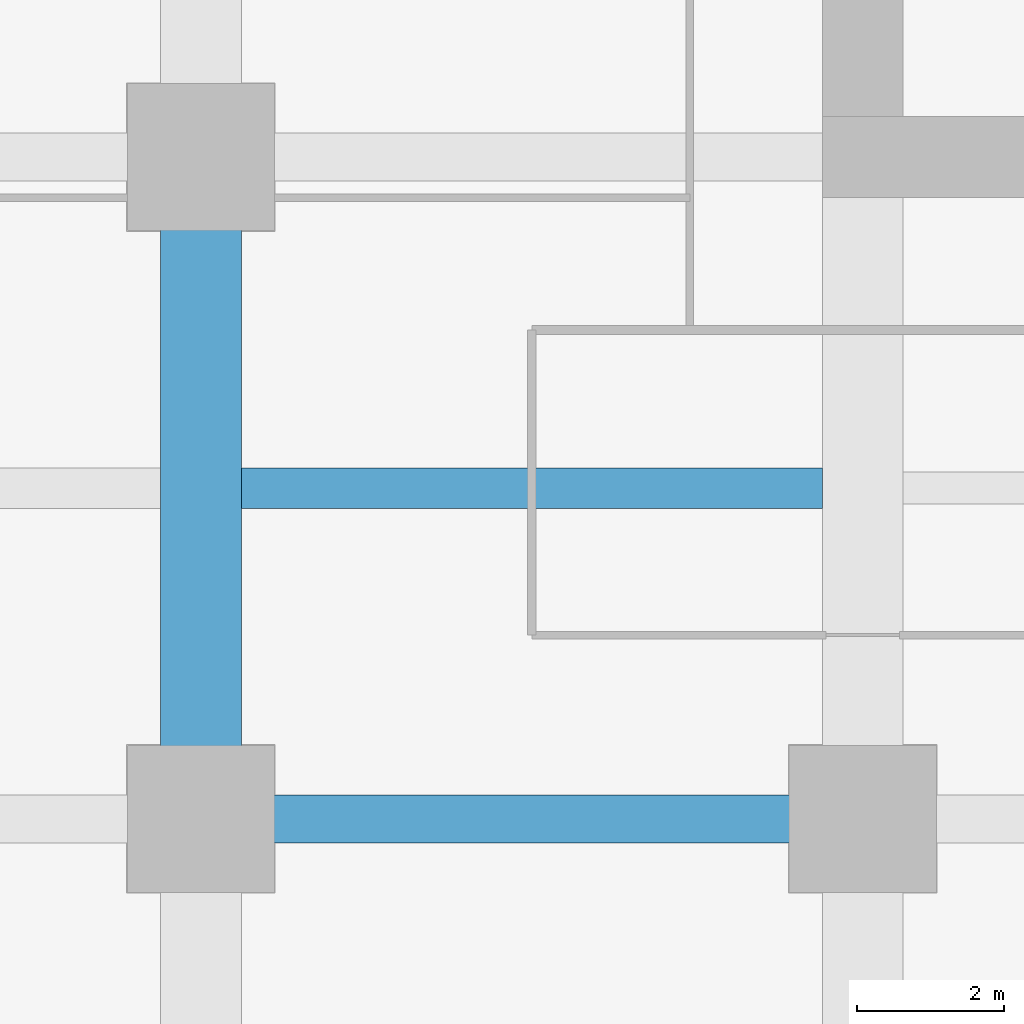
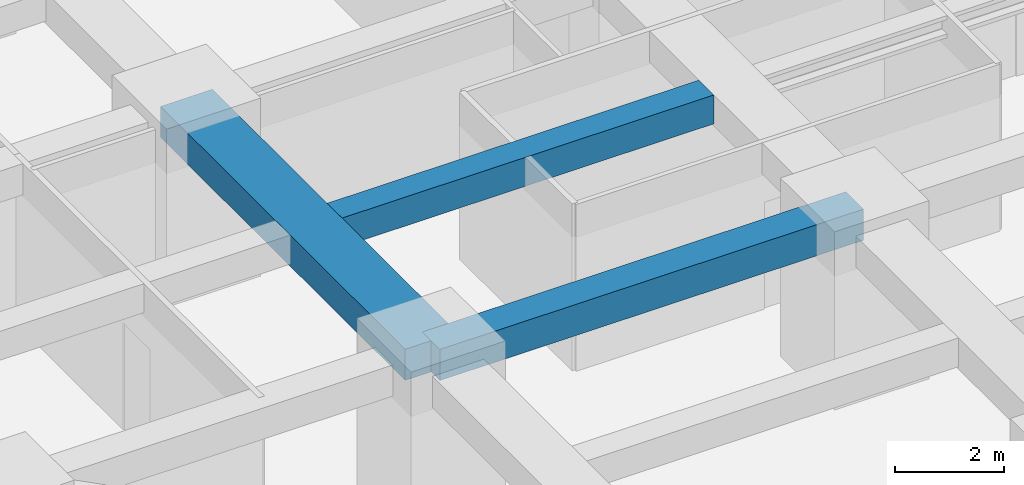
# One storey, part 5 of 41: 3 beams.
"""IFC4 building model written with IfcOpenShell, lengths in metres."""

from ifc_helpers import new_model, si_unit, direction, frame, origin, origin_2d, place, context, subcontext, project, spatial, rectangle, extrude, material, material_profile, profile_set, type_object, element, save


model = new_model("IFC4")

# Units and contexts
model_context = context("Model", 3, precision=1e-05, world=origin(), true_north=direction((0.0, 1.0)))
body_context = subcontext(model_context, "Body", "Model", "MODEL_VIEW")
ifc_project = project(units=[si_unit("LENGTHUNIT", "METRE"), si_unit("AREAUNIT", "SQUARE_METRE"), si_unit("VOLUMEUNIT", "CUBIC_METRE"), si_unit("PLANEANGLEUNIT", "RADIAN"), si_unit("MASSUNIT", "GRAM", prefix="KILO")], contexts=[model_context])

# Site, building, storey
site_placement = place(None, origin())
site = spatial("IfcSite", under=ifc_project, at=site_placement, CompositionType="ELEMENT")
building_placement = place(site_placement, origin())
building = spatial("IfcBuilding", under=site, at=building_placement, Name="Zorevar Civic Tower", CompositionType="ELEMENT")
storey_placement = place(building_placement, frame((0.0, 0.0, 109.0)))
storey = spatial("IfcBuildingStorey", under=building, at=storey_placement, Name="L26", CompositionType="ELEMENT", Elevation=109.0)

# Beams
ifc_material_1 = material(Name="Concrete C50/60", Category="concrete")
ifc_material_profile_1 = material_profile(ifc_material_1, rectangle(XDim=1.10009765625, YDim=0.699951171875, at=origin_2d()), Name="RC 1100x700")
ifc_profile_set_1 = profile_set([ifc_material_profile_1], Name="Concrete C50/60")
beam_type_1 = type_object("IfcBeamType", Name="Beam RC 1100x700", PredefinedType="BEAM", material=ifc_profile_set_1)
beam_1_placement = place(storey_placement, frame((9.0, 9.0, 3.39990234375), z_axis=(0.0, 1.0, 0.0), x_axis=(-1.0, 0.0, 0.0)))
element("IfcBeam", 1, at=beam_1_placement, inside=storey, type_object=beam_type_1, Name="Girder L27", PredefinedType="BEAM", context=body_context, shape_type="SweptSolid", body=[
    extrude(rectangle(XDim=1.10009765625, YDim=0.699951171875, at=origin_2d()), origin(), (0.0, 0.0, 1.0), 9.0),
])
ifc_material_2 = material(Name="Concrete C50/60", Category="concrete")
ifc_material_profile_2 = material_profile(ifc_material_2, rectangle(XDim=0.550048828125, YDim=0.64990234375, at=origin_2d()), Name="RC 550x650")
ifc_profile_set_2 = profile_set([ifc_material_profile_2], Name="Concrete C50/60")
beam_type_2 = type_object("IfcBeamType", Name="Beam RC 550x650", PredefinedType="BEAM", material=ifc_profile_set_2)
beam_2_placement = place(storey_placement, frame((9.550048828125, 13.5, 3.425048828125), z_axis=(1.0, 0.0, 0.0), x_axis=(0.0, 1.0, 0.0)))
element("IfcBeam", 2, at=beam_2_placement, inside=storey, type_object=beam_type_2, Name="Secondary beam L27", PredefinedType="BEAM", context=body_context, shape_type="SweptSolid", body=[
    extrude(rectangle(XDim=0.550048828125, YDim=0.64990234375, at=origin_2d()), origin(), (0.0, 0.0, 1.0), 7.89990234375),
])
ifc_material_3 = material(Name="Concrete C50/60", Category="concrete")
ifc_material_profile_3 = material_profile(ifc_material_3, rectangle(XDim=0.64990234375, YDim=0.699951171875, at=origin_2d()), Name="RC 650x700")
ifc_profile_set_3 = profile_set([ifc_material_profile_3], Name="Concrete C50/60")
beam_type_3 = type_object("IfcBeamType", Name="Beam RC 650x700", PredefinedType="BEAM", material=ifc_profile_set_3)
beam_3_placement = place(storey_placement, frame((9.0, 9.0, 3.39990234375), z_axis=(1.0, 0.0, 0.0), x_axis=(0.0, 1.0, 0.0)))
element("IfcBeam", 3, at=beam_3_placement, inside=storey, type_object=beam_type_3, Name="Girder L27", PredefinedType="BEAM", context=body_context, shape_type="SweptSolid", body=[
    extrude(rectangle(XDim=0.64990234375, YDim=0.699951171875, at=origin_2d()), origin(), (0.0, 0.0, 1.0), 9.0),
])

save(model, "model.ifc")
